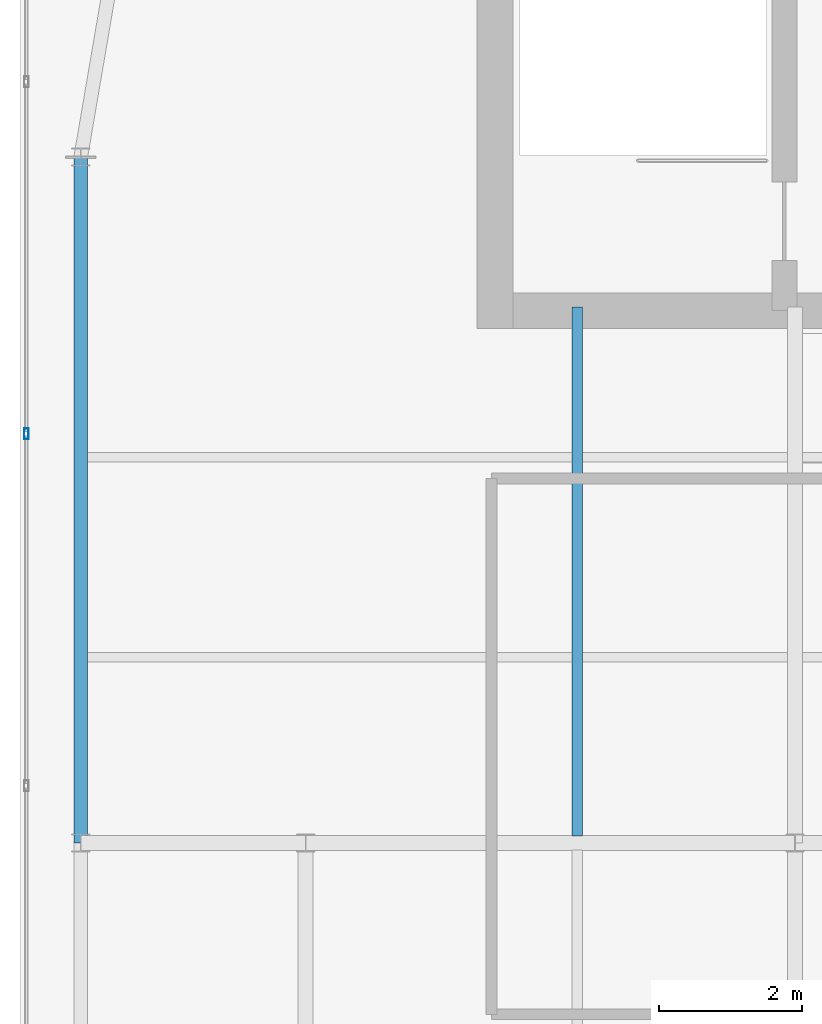
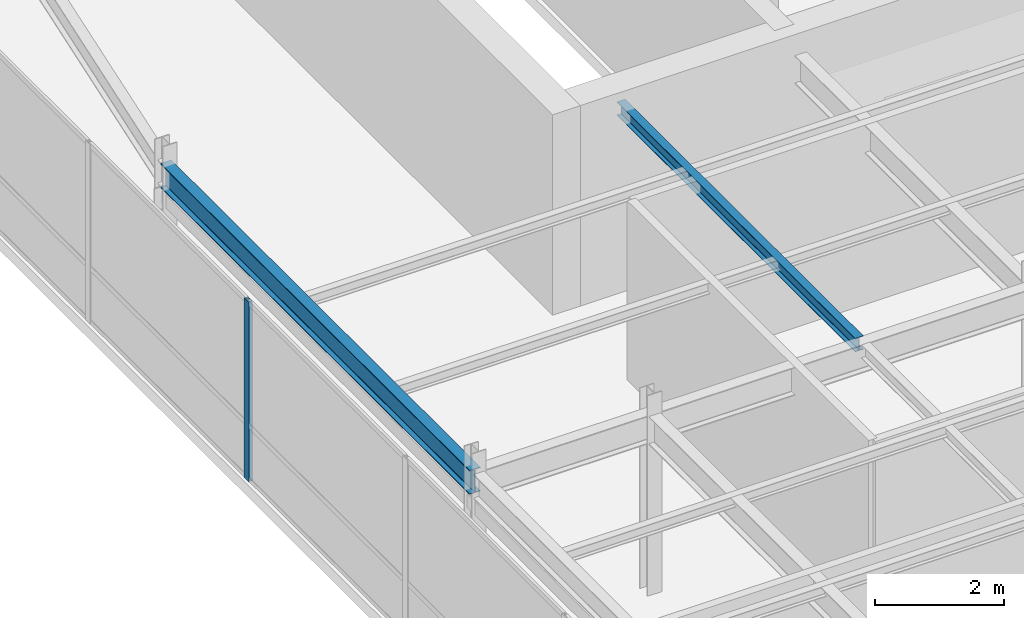
# One storey, part 17 of 35: 2 beams, 1 member, 1 element without a shape of its own.
"""IFC4 building model written with IfcOpenShell, lengths in metres."""

import ifcopenshell
import ifcopenshell.guid

model = None  # the IFC model being written
_history = None  # IfcOwnerHistory: only IFC2X3 demands one
_inside = {}  # id of a spatial element -> (the spatial element, [elements in it])
_under = {}  # id of a project, library or spatial element -> (it, [spatial elements below it])
_declared = {}  # id of a project -> (the project, [libraries it declares])
_typed = {}  # id of a type object -> (the type object, [elements of that type])
_made_of = {}  # id of a material, layer set ... -> (it, [elements and type objects made of it])


def new_model(schema):
    """Start an empty IFC model of exactly this schema.

    Asked for "IFC4X3", IfcOpenShell would pick the latest addendum, in which some entities
    have other attributes; the version numbers below select the first issue.
    IFC2X3 requires an IfcOwnerHistory on every rooted entity: one is made here for all.
    """
    global model, _history
    if schema == "IFC4X3":
        model = ifcopenshell.file(schema_version=(4, 3, 0, 0))
    else:
        model = ifcopenshell.file(schema=schema)
    _inside.clear()
    _under.clear()
    _declared.clear()
    _typed.clear()
    _made_of.clear()
    _history = None
    if model.schema == "IFC2X3":
        org = make("IfcOrganization", Name="unknown")
        user = make(
            "IfcPersonAndOrganization",
            ThePerson=make("IfcPerson", FamilyName="unknown"),
            TheOrganization=org,
        )
        app = make(
            "IfcApplication",
            ApplicationDeveloper=org,
            Version="unknown",
            ApplicationFullName="unknown",
            ApplicationIdentifier="unknown",
        )
        _history = make(
            "IfcOwnerHistory",
            OwningUser=user,
            OwningApplication=app,
            ChangeAction="ADDED",
            CreationDate=0,
        )
    return model


def make(cls, **values):
    """One entity of the class cls with the attributes given. An attribute that is None is left unset."""
    return model.create_entity(
        cls, **{name: value for name, value in values.items() if value is not None}
    )


def rooted(cls, **values):
    """An entity with a GlobalId (a new one), such as an element, a storey or a relation."""
    return make(cls, GlobalId=ifcopenshell.guid.new(), OwnerHistory=_history, **values)


def si_unit(unit_type, name, prefix=None):
    """IfcSIUnit, for example si_unit("LENGTHUNIT", "METRE", prefix="MILLI")."""
    return make("IfcSIUnit", UnitType=unit_type, Prefix=prefix, Name=name)


def assignment(units):
    """IfcUnitAssignment: the units of a project."""
    return None if units is None else make("IfcUnitAssignment", Units=units)


def point(xyz):
    """IfcCartesianPoint."""
    return None if xyz is None else make("IfcCartesianPoint", Coordinates=xyz)


def direction(xyz):
    """IfcDirection."""
    return None if xyz is None else make("IfcDirection", DirectionRatios=xyz)


def frame(location, z_axis=None, x_axis=None):
    """IfcAxis2Placement3D, a coordinate frame: its origin and axes. An axis left out is left unset."""
    return make(
        "IfcAxis2Placement3D",
        Location=point(location),
        Axis=direction(z_axis),
        RefDirection=direction(x_axis),
    )


def frame_2d(location, x_axis=None):
    """IfcAxis2Placement2D, a coordinate frame in the plane: its origin and x axis."""
    return make(
        "IfcAxis2Placement2D", Location=point(location), RefDirection=direction(x_axis)
    )


def origin():
    """The frame at (0, 0, 0) with its axes left unset."""
    return frame((0.0, 0.0, 0.0))


def origin_2d():
    """The frame at (0, 0) in the plane with its x axis left unset."""
    return frame_2d((0.0, 0.0))


def place(relative_to, where):
    """IfcLocalPlacement: puts the frame where relative to a parent placement (None: the world)."""
    return make(
        "IfcLocalPlacement", PlacementRelTo=relative_to, RelativePlacement=where
    )


def context(
    kind, dimensions, precision=None, world=None, true_north=None, identifier=None
):
    """IfcGeometricRepresentationContext, for example the 3D "Model" context."""
    return make(
        "IfcGeometricRepresentationContext",
        ContextIdentifier=identifier,
        ContextType=kind,
        CoordinateSpaceDimension=dimensions,
        Precision=precision,
        WorldCoordinateSystem=world,
        TrueNorth=true_north,
    )


def subcontext(parent, identifier, kind, view, scale=None):
    """IfcGeometricRepresentationSubContext, for example "Body" below "Model"."""
    return make(
        "IfcGeometricRepresentationSubContext",
        ContextIdentifier=identifier,
        ContextType=kind,
        ParentContext=parent,
        TargetScale=scale,
        TargetView=view,
    )


def project(units=None, contexts=None):
    """IfcProject with its units and contexts."""
    return rooted(
        "IfcProject",
        Name="project",
        RepresentationContexts=contexts,
        UnitsInContext=assignment(units),
    )


def spatial(cls, under=None, at=None, **own):
    """A site, building, storey or space (cls), placed at a placement, below another one or the project."""
    s = rooted(cls, ObjectPlacement=at, **own)
    if under is not None:
        _under.setdefault(under.id(), (under, []))[1].append(s)
    return s


def profile(cls, at=None, kind="AREA", **sizes):
    """A parametric profile (cls). Its sizes go by their IFC names, for example OverallWidth=200.0."""
    return make(cls, ProfileType=kind, Position=at, **sizes)


def hollow_rectangle(**sizes):
    """IfcRectangleHollowProfileDef."""
    return profile("IfcRectangleHollowProfileDef", **sizes)


def i_section(**sizes):
    """IfcIShapeProfileDef."""
    return profile("IfcIShapeProfileDef", **sizes)


def extrude(swept, where, along, depth):
    """IfcExtrudedAreaSolid: the profile swept, set in the frame where, extruded along a direction by depth."""
    return make(
        "IfcExtrudedAreaSolid",
        SweptArea=swept,
        Position=where,
        ExtrudedDirection=direction(along),
        Depth=depth,
    )


def shape(context_of_items, identifier, shape_type, items):
    """IfcShapeRepresentation: the items that make up one representation, for example the "Body"."""
    return make(
        "IfcShapeRepresentation",
        ContextOfItems=context_of_items,
        RepresentationIdentifier=identifier,
        RepresentationType=shape_type,
        Items=items,
    )


def source(mapping_origin, context_of_items, identifier, shape_type, items):
    """IfcRepresentationMap: a shape defined once, which mapped items show again and again."""
    return make(
        "IfcRepresentationMap",
        MappingOrigin=mapping_origin,
        MappedRepresentation=shape(context_of_items, identifier, shape_type, items),
    )


def transform(
    local_origin,
    x_axis=None,
    y_axis=None,
    z_axis=None,
    scale=None,
    scale2=None,
    scale3=None,
    uniform=True,
):
    """IfcCartesianTransformationOperator3D, or its non-uniform kind. x_axis, y_axis, z_axis: its Axis1, 2, 3."""
    if uniform:
        return make(
            "IfcCartesianTransformationOperator3D",
            Axis1=direction(x_axis),
            Axis2=direction(y_axis),
            LocalOrigin=point(local_origin),
            Scale=scale,
            Axis3=direction(z_axis),
        )
    return make(
        "IfcCartesianTransformationOperator3DnonUniform",
        Axis1=direction(x_axis),
        Axis2=direction(y_axis),
        LocalOrigin=point(local_origin),
        Scale=scale,
        Axis3=direction(z_axis),
        Scale2=scale2,
        Scale3=scale3,
    )


def mapped(mapping_source, mapping_target):
    """IfcMappedItem: shows the shape of a source again, moved by a transform."""
    return make(
        "IfcMappedItem", MappingSource=mapping_source, MappingTarget=mapping_target
    )


def material(Name=None, Category=None):
    """IfcMaterial."""
    return make("IfcMaterial", Name=Name, Category=Category)


def layer(
    of_material, thickness, ventilated=None, Name=None, Category=None, Priority=None
):
    """IfcMaterialLayer: one layer of a wall or slab, of a material (None: an air gap)."""
    return make(
        "IfcMaterialLayer",
        Material=of_material,
        LayerThickness=thickness,
        IsVentilated=ventilated,
        Name=Name,
        Category=Category,
        Priority=Priority,
    )


def layer_set(layers, Name=None):
    """IfcMaterialLayerSet."""
    return make("IfcMaterialLayerSet", MaterialLayers=layers, LayerSetName=Name)


def material_profile(
    of_material, cross_section, Name=None, Category=None, Priority=None
):
    """IfcMaterialProfile: a cross section and its material."""
    return make(
        "IfcMaterialProfile",
        Name=Name,
        Material=of_material,
        Profile=cross_section,
        Priority=Priority,
        Category=Category,
    )


def profile_set(profiles, Name=None, composite=None):
    """IfcMaterialProfileSet."""
    return make(
        "IfcMaterialProfileSet",
        Name=Name,
        MaterialProfiles=profiles,
        CompositeProfile=composite,
    )


def made_of(thing, what):
    """Note that an element or type object is made of a material, layer set ...; save() writes the relation."""
    if what is not None:
        _made_of.setdefault(what.id(), (what, []))[1].append(thing)
    return thing


def type_object(cls, material=None, **own):
    """A type object (cls), such as IfcWallType, which elements share."""
    return made_of(rooted(cls, **own), material)


def type_shapes(of_type, sources):
    """Give a type object the sources (RepresentationMaps) that its elements show as mapped items."""
    of_type.RepresentationMaps = sources


def element(
    cls,
    number,
    at=None,
    inside=None,
    cuts=None,
    type_object=None,
    material=None,
    context=None,
    identifier="Body",
    shape_type=None,
    held_by="IfcProductDefinitionShape",
    body=None,
    shapes=None,
    **own,
):
    """One element of the class cls, such as IfcWall. Its Tag is "e" and its number.

    at: its placement. inside: the storey or other place that contains it. cuts: it is an
    opening in that element (IfcRelVoidsElement). A single representation is given by context,
    identifier, shape_type and body (its items); several are given by shapes. held_by: the class
    of the entity that holds the representations. save() writes the other relations.
    """
    e = rooted(cls, Tag="e%d" % number, ObjectPlacement=at, **own)
    if body is not None:
        shapes = [shape(context, identifier, shape_type, body)]
    if shapes is not None:
        e.Representation = make(held_by, Representations=shapes)
    if inside is not None:
        _inside.setdefault(inside.id(), (inside, []))[1].append(e)
    if cuts is not None:
        rooted(
            "IfcRelVoidsElement", RelatingBuildingElement=cuts, RelatedOpeningElement=e
        )
    if type_object is not None:
        _typed.setdefault(type_object.id(), (type_object, []))[1].append(e)
    return made_of(e, material)


def aggregate(whole, parts):
    """IfcRelAggregates: a whole, such as a stair, and the parts it consists of."""
    return rooted("IfcRelAggregates", RelatingObject=whole, RelatedObjects=parts)


def save(model, path):
    """Write the relations noted so far, then the file.

    IfcRelAggregates (storeys below a building ...), IfcRelContainedInSpatialStructure (elements
    in a storey), IfcRelDefinesByType, IfcRelAssociatesMaterial and IfcRelDeclares: one each for
    every whole, place, type object, material and project.
    """
    for whole, parts in _under.values():
        aggregate(whole, parts)
    for where, things in _inside.values():
        rooted(
            "IfcRelContainedInSpatialStructure",
            RelatedElements=things,
            RelatingStructure=where,
        )
    for kind, things in _typed.values():
        rooted("IfcRelDefinesByType", RelatedObjects=things, RelatingType=kind)
    for what, things in _made_of.values():
        rooted("IfcRelAssociatesMaterial", RelatedObjects=things, RelatingMaterial=what)
    for by, libraries in _declared.values():
        rooted("IfcRelDeclares", RelatingContext=by, RelatedDefinitions=libraries)
    model.write(path)


model = new_model("IFC4")

# Units and contexts
model_context = context("Model", 3, precision=1e-05, world=origin(), true_north=direction((0.0, 1.0)))
body_context = subcontext(model_context, "Body", "Model", "MODEL_VIEW")
ifc_project = project(units=[si_unit("LENGTHUNIT", "METRE"), si_unit("AREAUNIT", "SQUARE_METRE"), si_unit("VOLUMEUNIT", "CUBIC_METRE"), si_unit("PLANEANGLEUNIT", "RADIAN"), si_unit("MASSUNIT", "GRAM", prefix="KILO")], contexts=[model_context])

# Site, building, storey
site_placement = place(None, origin())
site = spatial("IfcSite", under=ifc_project, at=site_placement, CompositionType="ELEMENT")
building_placement = place(site_placement, origin())
building = spatial("IfcBuilding", under=site, at=building_placement, Name="Tolvann Quenvar Hotel", CompositionType="ELEMENT")
storey_placement = place(building_placement, frame((0.0, 0.0, 309.949951171875)))
storey = spatial("IfcBuildingStorey", under=building, at=storey_placement, Name="L82", CompositionType="ELEMENT", Elevation=309.949951171875)

# Beams
ifc_material_1 = material(Name="Steel Grade 350", Category="steel")
ifc_material_profile_1 = material_profile(ifc_material_1, i_section(OverallWidth=0.19091796875, OverallDepth=0.4599609375, WebThickness=0.010009765625, FlangeThickness=0.01611328125, FilletRadius=0.011474609375, at=origin_2d()), Name="460UB82")
ifc_profile_set_1 = profile_set([ifc_material_profile_1], Name="Steel Grade 350")
beam_type_1 = type_object("IfcBeamType", Name="BM_SPAND_460UB82", PredefinedType="SPANDREL", material=ifc_profile_set_1)
shared_shape_1 = source(origin(), body_context, "Body", "SweptSolid", [
    extrude(i_section(OverallWidth=0.19091796875, OverallDepth=0.4599609375, WebThickness=0.010009765625, FlangeThickness=0.01611328125, FilletRadius=0.011474609375, at=origin_2d()), origin(), (0.0, 0.0, 1.0), 9.60009765625),
])
type_shapes(beam_type_1, [shared_shape_1])
beam_1_placement = place(storey_placement, frame((4.449951171875, 24.39990234375, 3.170166015625), z_axis=(0.0, 1.0, 0.0), x_axis=(-1.0, 0.0, 0.0)))
element("IfcBeam", 1, at=beam_1_placement, inside=storey, type_object=beam_type_1, Name="BM-L82-FLK-W1", PredefinedType="SPANDREL", context=body_context, shape_type="MappedRepresentation", body=[
    mapped(shared_shape_1, transform((0.0, 0.0, 0.0), x_axis=(1.0, 0.0, 0.0), y_axis=(0.0, 1.0, 0.0), z_axis=(0.0, 0.0, 1.0), scale=1.0)),
])
ifc_material_profile_2 = material_profile(ifc_material_1, i_section(OverallWidth=0.14599609375, OverallDepth=0.256103515625, WebThickness=0.00634765625, FlangeThickness=0.010986328125, FilletRadius=0.0087890625, at=origin_2d()), Name="250UB37")
ifc_profile_set_2 = profile_set([ifc_material_profile_2], Name="Steel Grade 350")
beam_type_2 = type_object("IfcBeamType", Name="BM_JOIST_250UB37", PredefinedType="JOIST", material=ifc_profile_set_2)
shared_shape_2 = source(origin(), body_context, "Body", "SweptSolid", [
    extrude(i_section(OverallWidth=0.14599609375, OverallDepth=0.256103515625, WebThickness=0.00634765625, FlangeThickness=0.010986328125, FilletRadius=0.0087890625, at=origin_2d()), origin(), (0.0, 0.0, 1.0), 7.4013671875),
])
type_shapes(beam_type_2, [shared_shape_2])
beam_2_placement = place(storey_placement, frame((11.39990234375, 24.49853515625, 3.27197265625), z_axis=(0.0, 1.0, 0.0), x_axis=(-1.0, 0.0, 0.0)))
element("IfcBeam", 2, at=beam_2_placement, inside=storey, type_object=beam_type_2, Name="BJ-L82-114-244", PredefinedType="JOIST", context=body_context, shape_type="MappedRepresentation", body=[
    mapped(shared_shape_2, transform((0.0, 0.0, 0.0), x_axis=(1.0, 0.0, 0.0), y_axis=(0.0, 1.0, 0.0), z_axis=(0.0, 0.0, 1.0), scale=1.0)),
])

# Curtain wall, member
ifc_material_2 = material(Name="Thermally broken anodised architectural aluminium 6063-T6 and laminated low-E glass", Category="aluminium")
ifc_layer = layer(ifc_material_2, 0.179931640625)
ifc_layer_set = layer_set([ifc_layer], Name="Thermally broken anodised architectural aluminium 6063-T6 and laminated low-E glass")
curtain_wall_type = type_object("IfcCurtainWallType", Name="CW_SYS_LANT_06", PredefinedType="USERDEFINED", material=ifc_layer_set)
curtain_wall_placement = place(storey_placement, origin())
curtain_wall = element("IfcCurtainWall", 3, at=curtain_wall_placement, inside=storey, type_object=curtain_wall_type, Name="Curtain Wall CW-LANT-06 (CWR-L82-E19)", ObjectType="UNITISED CURTAIN WALL", PredefinedType="USERDEFINED")
ifc_material_3 = material(Name="Anodised architectural aluminium 6063-T6 framing", Category="aluminium")
ifc_material_profile_3 = material_profile(ifc_material_3, hollow_rectangle(XDim=0.06494140625, YDim=0.14990234375, WallThickness=0.00390625, at=origin_2d()), Name="150x65x4RHS")
ifc_profile_set_3 = profile_set([ifc_material_profile_3], Name="Anodised architectural aluminium 6063-T6 framing")
member_type = type_object("IfcMemberType", Name="CW_MULL_150x65", PredefinedType="MULLION", material=ifc_profile_set_3)
shared_shape_3 = source(origin(), body_context, "Body", "SweptSolid", [
    extrude(hollow_rectangle(XDim=0.06494140625, YDim=0.14990234375, WallThickness=0.00390625, at=origin_2d()), origin(), (0.0, 0.0, 1.0), 3.400146484375),
])
type_shapes(member_type, [shared_shape_3])
member_placement = place(storey_placement, frame((3.68994140625, 30.127685546875, 0.0), z_axis=(0.0, 0.0, 1.0), x_axis=(1.0, 0.0, 0.0)))
member = element("IfcMember", 4, at=member_placement, type_object=member_type, Name="CW-LANT-06 mullion 3", PredefinedType="MULLION", context=body_context, shape_type="MappedRepresentation", body=[
    mapped(shared_shape_3, transform((0.0, 0.0, 0.0), x_axis=(1.0, 0.0, 0.0), y_axis=(0.0, 1.0, 0.0), z_axis=(0.0, 0.0, 1.0), scale=1.0)),
])
aggregate(curtain_wall, [member])

save(model, "model.ifc")
